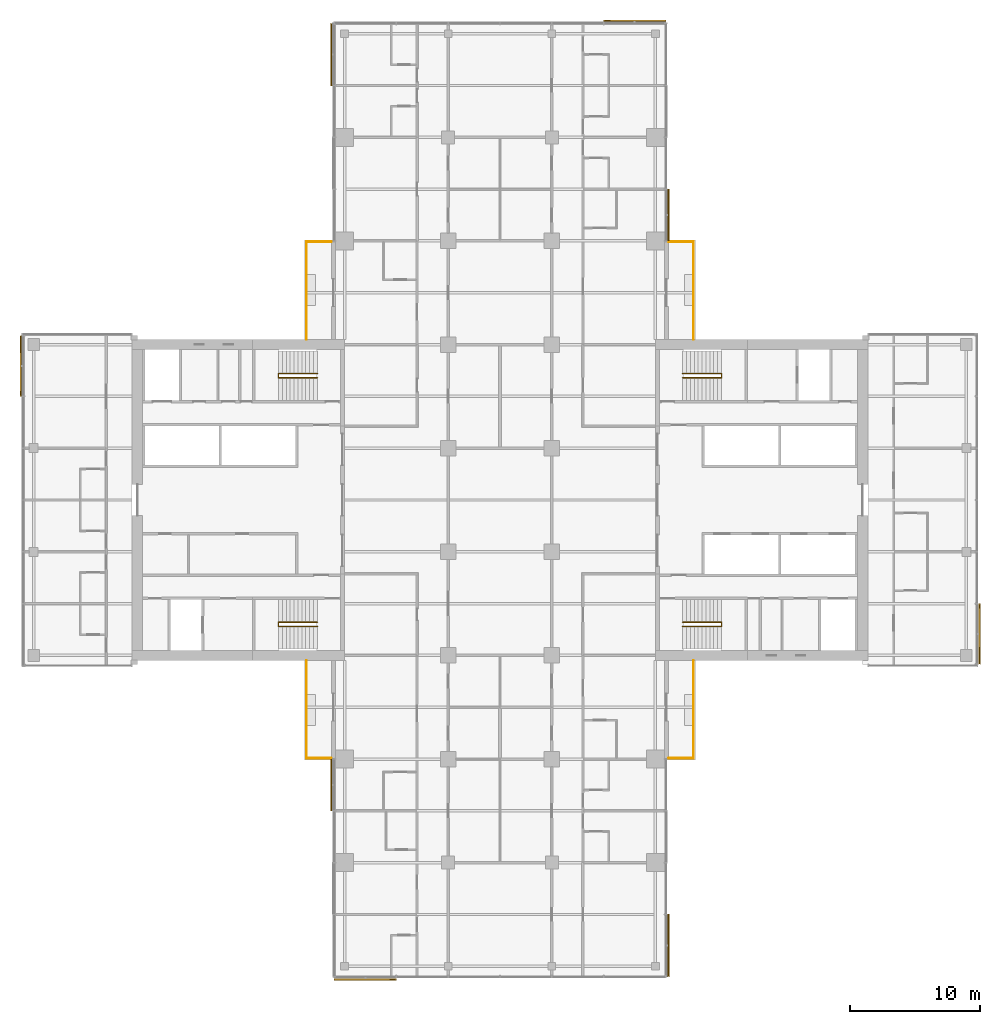
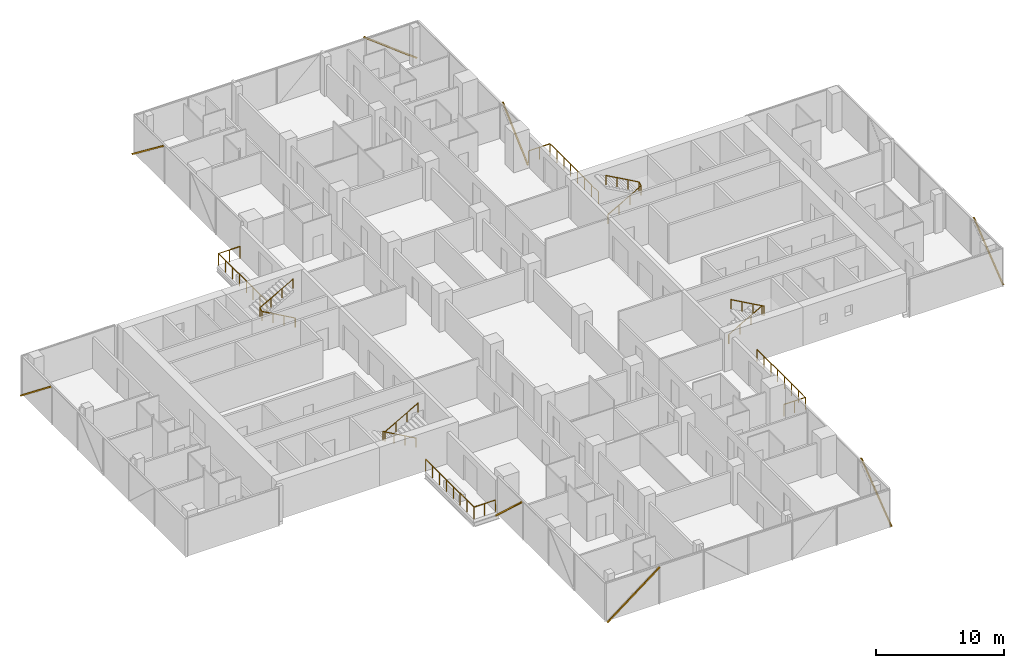
# One storey, part 27 of 27: 8 railings, 8 shading devices, 8 elements without a shape of their own.
"""IFC4 building model written with IfcOpenShell, lengths in metres."""

from ifc_helpers import new_model, si_unit, direction, frame, origin, origin_2d, place, context, subcontext, project, spatial, rectangle, circle, extrude, material, material_profile, profile_set, type_object, element, aggregate, save


model = new_model("IFC4")

# Units and contexts
model_context = context("Model", 3, precision=1e-05, world=origin(), true_north=direction((0.0, 1.0)))
body_context = subcontext(model_context, "Body", "Model", "MODEL_VIEW")
ifc_project = project(units=[si_unit("LENGTHUNIT", "METRE"), si_unit("AREAUNIT", "SQUARE_METRE"), si_unit("VOLUMEUNIT", "CUBIC_METRE"), si_unit("PLANEANGLEUNIT", "RADIAN"), si_unit("MASSUNIT", "GRAM", prefix="KILO")], contexts=[model_context])

# Site, building, storey
site_placement = place(None, origin())
site = spatial("IfcSite", under=ifc_project, at=site_placement, CompositionType="ELEMENT")
building_placement = place(site_placement, origin())
building = spatial("IfcBuilding", under=site, at=building_placement, Name="Crosswind Convention Tower", CompositionType="ELEMENT")
storey_placement = place(building_placement, frame((0.0, 0.0, 75.699951171875)))
storey = spatial("IfcBuildingStorey", under=building, at=storey_placement, Name="L13", CompositionType="ELEMENT", Elevation=75.699951171875)

# Railings
ifc_material_1 = material(Name="Steel and laminated glass balustrade", Category="steel")
railing_type_1 = type_object("IfcRailingType", Name="BALCONY BALUSTRADE 1150", PredefinedType="BALUSTRADE", material=ifc_material_1)
railing_1_placement = place(storey_placement, frame((139.93994140625, 112.39990234375, 0.0)))
element("IfcRailing", 1, at=railing_1_placement, inside=storey, type_object=railing_type_1, Name="R11 balcony balustrade L13 N-E.1-1", PredefinedType="BALUSTRADE", context=body_context, shape_type="SweptSolid", body=[
    extrude(circle(Radius=0.02392578125, at=origin_2d()), frame((0.0, 0.0, 1.1259765625), z_axis=(0.0, 1.0, 0.0), x_axis=(-1.0, 0.0, 0.0)), (0.0, 0.0, 1.0), 7.5400390625),
    extrude(circle(Radius=0.02392578125, at=origin_2d()), frame((0.0, 7.5400390625, 1.1259765625), z_axis=(-1.0, 0.0, 0.0), x_axis=(0.0, -1.0, 0.0)), (0.0, 0.0, 1.0), 1.9189453125),
    extrude(circle(Radius=0.02099609375, at=origin_2d()), origin(), (0.0, 0.0, 1.0), 1.101806640625),
    extrude(circle(Radius=0.02099609375, at=origin_2d()), frame((0.0, 1.0771484375, 0.0)), (0.0, 0.0, 1.0), 1.101806640625),
    extrude(circle(Radius=0.02099609375, at=origin_2d()), frame((0.0, 2.154296875, 0.0)), (0.0, 0.0, 1.0), 1.101806640625),
    extrude(circle(Radius=0.02099609375, at=origin_2d()), frame((0.0, 3.2314453125, 0.0)), (0.0, 0.0, 1.0), 1.101806640625),
    extrude(circle(Radius=0.02099609375, at=origin_2d()), frame((0.0, 4.30859375, 0.0)), (0.0, 0.0, 1.0), 1.101806640625),
    extrude(circle(Radius=0.02099609375, at=origin_2d()), frame((0.0, 5.3857421875, 0.0)), (0.0, 0.0, 1.0), 1.101806640625),
    extrude(circle(Radius=0.02099609375, at=origin_2d()), frame((0.0, 6.462890625, 0.0)), (0.0, 0.0, 1.0), 1.101806640625),
    extrude(circle(Radius=0.02099609375, at=origin_2d()), frame((0.0, 7.5400390625, 0.0)), (0.0, 0.0, 1.0), 1.101806640625),
    extrude(circle(Radius=0.02099609375, at=origin_2d()), frame((-0.95947265625, 7.5400390625, 0.0)), (0.0, 0.0, 1.0), 1.101806640625),
    extrude(circle(Radius=0.02099609375, at=origin_2d()), frame((-1.9189453125, 7.5400390625, 0.0)), (0.0, 0.0, 1.0), 1.101806640625),
])
railing_2_placement = place(storey_placement, frame((110.06005859375, 112.39990234375, 0.0)))
element("IfcRailing", 2, at=railing_2_placement, inside=storey, type_object=railing_type_1, Name="R11 balcony balustrade L13 N-W.1-3", PredefinedType="BALUSTRADE", context=body_context, shape_type="SweptSolid", body=[
    extrude(circle(Radius=0.02392578125, at=origin_2d()), frame((0.0, 0.0, 1.1259765625), z_axis=(0.0, 1.0, 0.0), x_axis=(-1.0, 0.0, 0.0)), (0.0, 0.0, 1.0), 7.5400390625),
    extrude(circle(Radius=0.02392578125, at=origin_2d()), frame((0.0, 7.5400390625, 1.1259765625), z_axis=(1.0, 0.0, 0.0), x_axis=(0.0, 1.0, 0.0)), (0.0, 0.0, 1.0), 1.9189453125),
    extrude(circle(Radius=0.02099609375, at=origin_2d()), origin(), (0.0, 0.0, 1.0), 1.101806640625),
    extrude(circle(Radius=0.02099609375, at=origin_2d()), frame((0.0, 1.0771484375, 0.0)), (0.0, 0.0, 1.0), 1.101806640625),
    extrude(circle(Radius=0.02099609375, at=origin_2d()), frame((0.0, 2.154296875, 0.0)), (0.0, 0.0, 1.0), 1.101806640625),
    extrude(circle(Radius=0.02099609375, at=origin_2d()), frame((0.0, 3.2314453125, 0.0)), (0.0, 0.0, 1.0), 1.101806640625),
    extrude(circle(Radius=0.02099609375, at=origin_2d()), frame((0.0, 4.30859375, 0.0)), (0.0, 0.0, 1.0), 1.101806640625),
    extrude(circle(Radius=0.02099609375, at=origin_2d()), frame((0.0, 5.3857421875, 0.0)), (0.0, 0.0, 1.0), 1.101806640625),
    extrude(circle(Radius=0.02099609375, at=origin_2d()), frame((0.0, 6.462890625, 0.0)), (0.0, 0.0, 1.0), 1.101806640625),
    extrude(circle(Radius=0.02099609375, at=origin_2d()), frame((0.0, 7.5400390625, 0.0)), (0.0, 0.0, 1.0), 1.101806640625),
    extrude(circle(Radius=0.02099609375, at=origin_2d()), frame((0.95947265625, 7.5400390625, 0.0)), (0.0, 0.0, 1.0), 1.101806640625),
    extrude(circle(Radius=0.02099609375, at=origin_2d()), frame((1.9189453125, 7.5400390625, 0.0)), (0.0, 0.0, 1.0), 1.101806640625),
])
railing_3_placement = place(storey_placement, frame((110.06005859375, 87.60009765625, 0.0)))
element("IfcRailing", 3, at=railing_3_placement, inside=storey, type_object=railing_type_1, Name="R11 balcony balustrade L13 S-W.1-1", PredefinedType="BALUSTRADE", context=body_context, shape_type="SweptSolid", body=[
    extrude(circle(Radius=0.02392578125, at=origin_2d()), frame((0.0, 0.0, 1.1259765625), z_axis=(0.0, -1.0, 0.0), x_axis=(1.0, 0.0, 0.0)), (0.0, 0.0, 1.0), 7.5400390625),
    extrude(circle(Radius=0.02392578125, at=origin_2d()), frame((0.0, -7.5400390625, 1.1259765625), z_axis=(1.0, 0.0, 0.0), x_axis=(0.0, 1.0, 0.0)), (0.0, 0.0, 1.0), 1.9189453125),
    extrude(circle(Radius=0.02099609375, at=origin_2d()), origin(), (0.0, 0.0, 1.0), 1.101806640625),
    extrude(circle(Radius=0.02099609375, at=origin_2d()), frame((0.0, -1.0771484375, 0.0)), (0.0, 0.0, 1.0), 1.101806640625),
    extrude(circle(Radius=0.02099609375, at=origin_2d()), frame((0.0, -2.154296875, 0.0)), (0.0, 0.0, 1.0), 1.101806640625),
    extrude(circle(Radius=0.02099609375, at=origin_2d()), frame((0.0, -3.2314453125, 0.0)), (0.0, 0.0, 1.0), 1.101806640625),
    extrude(circle(Radius=0.02099609375, at=origin_2d()), frame((0.0, -4.30859375, 0.0)), (0.0, 0.0, 1.0), 1.101806640625),
    extrude(circle(Radius=0.02099609375, at=origin_2d()), frame((0.0, -5.3857421875, 0.0)), (0.0, 0.0, 1.0), 1.101806640625),
    extrude(circle(Radius=0.02099609375, at=origin_2d()), frame((0.0, -6.462890625, 0.0)), (0.0, 0.0, 1.0), 1.101806640625),
    extrude(circle(Radius=0.02099609375, at=origin_2d()), frame((0.0, -7.5400390625, 0.0)), (0.0, 0.0, 1.0), 1.101806640625),
    extrude(circle(Radius=0.02099609375, at=origin_2d()), frame((0.95947265625, -7.5400390625, 0.0)), (0.0, 0.0, 1.0), 1.101806640625),
    extrude(circle(Radius=0.02099609375, at=origin_2d()), frame((1.9189453125, -7.5400390625, 0.0)), (0.0, 0.0, 1.0), 1.101806640625),
])
railing_4_placement = place(storey_placement, frame((139.93994140625, 87.60009765625, 0.0)))
element("IfcRailing", 4, at=railing_4_placement, inside=storey, type_object=railing_type_1, Name="R11 balcony balustrade L13 S-E.1-3", PredefinedType="BALUSTRADE", context=body_context, shape_type="SweptSolid", body=[
    extrude(circle(Radius=0.02392578125, at=origin_2d()), frame((0.0, 0.0, 1.1259765625), z_axis=(0.0, -1.0, 0.0), x_axis=(1.0, 0.0, 0.0)), (0.0, 0.0, 1.0), 7.5400390625),
    extrude(circle(Radius=0.02392578125, at=origin_2d()), frame((0.0, -7.5400390625, 1.1259765625), z_axis=(-1.0, 0.0, 0.0), x_axis=(0.0, -1.0, 0.0)), (0.0, 0.0, 1.0), 1.9189453125),
    extrude(circle(Radius=0.02099609375, at=origin_2d()), origin(), (0.0, 0.0, 1.0), 1.101806640625),
    extrude(circle(Radius=0.02099609375, at=origin_2d()), frame((0.0, -1.0771484375, 0.0)), (0.0, 0.0, 1.0), 1.101806640625),
    extrude(circle(Radius=0.02099609375, at=origin_2d()), frame((0.0, -2.154296875, 0.0)), (0.0, 0.0, 1.0), 1.101806640625),
    extrude(circle(Radius=0.02099609375, at=origin_2d()), frame((0.0, -3.2314453125, 0.0)), (0.0, 0.0, 1.0), 1.101806640625),
    extrude(circle(Radius=0.02099609375, at=origin_2d()), frame((0.0, -4.30859375, 0.0)), (0.0, 0.0, 1.0), 1.101806640625),
    extrude(circle(Radius=0.02099609375, at=origin_2d()), frame((0.0, -5.3857421875, 0.0)), (0.0, 0.0, 1.0), 1.101806640625),
    extrude(circle(Radius=0.02099609375, at=origin_2d()), frame((0.0, -6.462890625, 0.0)), (0.0, 0.0, 1.0), 1.101806640625),
    extrude(circle(Radius=0.02099609375, at=origin_2d()), frame((0.0, -7.5400390625, 0.0)), (0.0, 0.0, 1.0), 1.101806640625),
    extrude(circle(Radius=0.02099609375, at=origin_2d()), frame((-0.95947265625, -7.5400390625, 0.0)), (0.0, 0.0, 1.0), 1.101806640625),
    extrude(circle(Radius=0.02099609375, at=origin_2d()), frame((-1.9189453125, -7.5400390625, 0.0)), (0.0, 0.0, 1.0), 1.101806640625),
])
ifc_material_2 = material(Name="Stainless steel", Category="steel")
railing_type_2 = type_object("IfcRailingType", Name="Stair handrail 900", PredefinedType="HANDRAIL", material=ifc_material_2)
railing_5_placement = place(storey_placement, frame((139.10009765625, 109.43994140625, 0.168212890625)))
element("IfcRailing", 5, at=railing_5_placement, inside=storey, type_object=railing_type_2, Name="Stair ST1 handrail L13", PredefinedType="HANDRAIL", context=body_context, shape_type="SweptSolid", body=[
    extrude(circle(Radius=0.02392578125, at=origin_2d()), frame((0.0, 0.0, 0.8759765625), z_axis=(0.872272294576, 0.0, 0.489020494575), x_axis=(0.0, 1.0, 0.0)), (0.0, 0.0, 1.0), 3.439208984375),
    extrude(circle(Radius=0.02392578125, at=origin_2d()), frame((3.0, 0.0, 2.5576171875), z_axis=(0.0, 0.885196349292, 0.465217608438), x_axis=(-1.0, 0.0, 0.0)), (0.0, 0.0, 1.0), 0.361572265625),
    extrude(circle(Radius=0.02392578125, at=origin_2d()), frame((3.0, 0.320068359375, 2.72607421875), z_axis=(-0.872302573547, 0.0, 0.488966481656), x_axis=(0.0, -1.0, 0.0)), (0.0, 0.0, 1.0), 3.439208984375),
    extrude(circle(Radius=0.02099609375, at=origin_2d()), origin(), (0.0, 0.0, 1.0), 0.851806640625),
    extrude(circle(Radius=0.02099609375, at=origin_2d()), frame((1.0, 0.0, 0.560546875)), (0.0, 0.0, 1.0), 0.851806640625),
    extrude(circle(Radius=0.02099609375, at=origin_2d()), frame((2.0, 0.0, 1.121337890625)), (0.0, 0.0, 1.0), 0.851806640625),
    extrude(circle(Radius=0.02099609375, at=origin_2d()), frame((3.0, 0.0, 1.681884765625)), (0.0, 0.0, 1.0), 0.851806640625),
    extrude(circle(Radius=0.02099609375, at=origin_2d()), frame((3.0, 0.320068359375, 1.85009765625)), (0.0, 0.0, 1.0), 0.851806640625),
    extrude(circle(Radius=0.02099609375, at=origin_2d()), frame((2.0, 0.320068359375, 2.41064453125)), (0.0, 0.0, 1.0), 0.851806640625),
    extrude(circle(Radius=0.02099609375, at=origin_2d()), frame((1.0, 0.320068359375, 2.97119140625)), (0.0, 0.0, 1.0), 0.851806640625),
    extrude(circle(Radius=0.02099609375, at=origin_2d()), frame((0.0, 0.320068359375, 3.53173828125)), (0.0, 0.0, 1.0), 0.851806640625),
])
railing_6_placement = place(storey_placement, frame((139.10009765625, 90.56005859375, 0.168212890625)))
element("IfcRailing", 6, at=railing_6_placement, inside=storey, type_object=railing_type_2, Name="Stair ST2 handrail L13", PredefinedType="HANDRAIL", context=body_context, shape_type="SweptSolid", body=[
    extrude(circle(Radius=0.02392578125, at=origin_2d()), frame((0.0, 0.0, 0.8759765625), z_axis=(0.872272294576, 0.0, 0.489020494575), x_axis=(0.0, 1.0, 0.0)), (0.0, 0.0, 1.0), 3.439208984375),
    extrude(circle(Radius=0.02392578125, at=origin_2d()), frame((3.0, 0.0, 2.5576171875), z_axis=(0.0, -0.885196349292, 0.465217608438), x_axis=(1.0, 0.0, 0.0)), (0.0, 0.0, 1.0), 0.361572265625),
    extrude(circle(Radius=0.02392578125, at=origin_2d()), frame((3.0, -0.320068359375, 2.72607421875), z_axis=(-0.872302573547, 0.0, 0.488966481656), x_axis=(0.0, -1.0, 0.0)), (0.0, 0.0, 1.0), 3.439208984375),
    extrude(circle(Radius=0.02099609375, at=origin_2d()), origin(), (0.0, 0.0, 1.0), 0.851806640625),
    extrude(circle(Radius=0.02099609375, at=origin_2d()), frame((1.0, 0.0, 0.560546875)), (0.0, 0.0, 1.0), 0.851806640625),
    extrude(circle(Radius=0.02099609375, at=origin_2d()), frame((2.0, 0.0, 1.121337890625)), (0.0, 0.0, 1.0), 0.851806640625),
    extrude(circle(Radius=0.02099609375, at=origin_2d()), frame((3.0, 0.0, 1.681884765625)), (0.0, 0.0, 1.0), 0.851806640625),
    extrude(circle(Radius=0.02099609375, at=origin_2d()), frame((3.0, -0.320068359375, 1.85009765625)), (0.0, 0.0, 1.0), 0.851806640625),
    extrude(circle(Radius=0.02099609375, at=origin_2d()), frame((2.0, -0.320068359375, 2.41064453125)), (0.0, 0.0, 1.0), 0.851806640625),
    extrude(circle(Radius=0.02099609375, at=origin_2d()), frame((1.0, -0.320068359375, 2.97119140625)), (0.0, 0.0, 1.0), 0.851806640625),
    extrude(circle(Radius=0.02099609375, at=origin_2d()), frame((0.0, -0.320068359375, 3.53173828125)), (0.0, 0.0, 1.0), 0.851806640625),
])
railing_7_placement = place(storey_placement, frame((110.89990234375, 90.56005859375, 0.168212890625)))
element("IfcRailing", 7, at=railing_7_placement, inside=storey, type_object=railing_type_2, Name="Stair ST3 handrail L13", PredefinedType="HANDRAIL", context=body_context, shape_type="SweptSolid", body=[
    extrude(circle(Radius=0.02392578125, at=origin_2d()), frame((0.0, 0.0, 0.8759765625), z_axis=(-0.872272294576, 0.0, 0.489020494575), x_axis=(0.0, -1.0, 0.0)), (0.0, 0.0, 1.0), 3.439208984375),
    extrude(circle(Radius=0.02392578125, at=origin_2d()), frame((-3.0, 0.0, 2.5576171875), z_axis=(0.0, -0.885196349292, 0.465217608438), x_axis=(1.0, 0.0, 0.0)), (0.0, 0.0, 1.0), 0.361572265625),
    extrude(circle(Radius=0.02392578125, at=origin_2d()), frame((-3.0, -0.320068359375, 2.72607421875), z_axis=(0.872302573547, 0.0, 0.488966481656), x_axis=(0.0, 1.0, 0.0)), (0.0, 0.0, 1.0), 3.439208984375),
    extrude(circle(Radius=0.02099609375, at=origin_2d()), origin(), (0.0, 0.0, 1.0), 0.851806640625),
    extrude(circle(Radius=0.02099609375, at=origin_2d()), frame((-1.0, 0.0, 0.560546875)), (0.0, 0.0, 1.0), 0.851806640625),
    extrude(circle(Radius=0.02099609375, at=origin_2d()), frame((-2.0, 0.0, 1.121337890625)), (0.0, 0.0, 1.0), 0.851806640625),
    extrude(circle(Radius=0.02099609375, at=origin_2d()), frame((-3.0, 0.0, 1.681884765625)), (0.0, 0.0, 1.0), 0.851806640625),
    extrude(circle(Radius=0.02099609375, at=origin_2d()), frame((-3.0, -0.320068359375, 1.85009765625)), (0.0, 0.0, 1.0), 0.851806640625),
    extrude(circle(Radius=0.02099609375, at=origin_2d()), frame((-2.0, -0.320068359375, 2.41064453125)), (0.0, 0.0, 1.0), 0.851806640625),
    extrude(circle(Radius=0.02099609375, at=origin_2d()), frame((-1.0, -0.320068359375, 2.97119140625)), (0.0, 0.0, 1.0), 0.851806640625),
    extrude(circle(Radius=0.02099609375, at=origin_2d()), frame((0.0, -0.320068359375, 3.53173828125)), (0.0, 0.0, 1.0), 0.851806640625),
])
railing_8_placement = place(storey_placement, frame((110.89990234375, 109.43994140625, 0.168212890625)))
element("IfcRailing", 8, at=railing_8_placement, inside=storey, type_object=railing_type_2, Name="Stair ST4 handrail L13", PredefinedType="HANDRAIL", context=body_context, shape_type="SweptSolid", body=[
    extrude(circle(Radius=0.02392578125, at=origin_2d()), frame((0.0, 0.0, 0.8759765625), z_axis=(-0.872272294576, 0.0, 0.489020494575), x_axis=(0.0, -1.0, 0.0)), (0.0, 0.0, 1.0), 3.439208984375),
    extrude(circle(Radius=0.02392578125, at=origin_2d()), frame((-3.0, 0.0, 2.5576171875), z_axis=(0.0, 0.885196349292, 0.465217608438), x_axis=(-1.0, 0.0, 0.0)), (0.0, 0.0, 1.0), 0.361572265625),
    extrude(circle(Radius=0.02392578125, at=origin_2d()), frame((-3.0, 0.320068359375, 2.72607421875), z_axis=(0.872302573547, 0.0, 0.488966481656), x_axis=(0.0, 1.0, 0.0)), (0.0, 0.0, 1.0), 3.439208984375),
    extrude(circle(Radius=0.02099609375, at=origin_2d()), origin(), (0.0, 0.0, 1.0), 0.851806640625),
    extrude(circle(Radius=0.02099609375, at=origin_2d()), frame((-1.0, 0.0, 0.560546875)), (0.0, 0.0, 1.0), 0.851806640625),
    extrude(circle(Radius=0.02099609375, at=origin_2d()), frame((-2.0, 0.0, 1.121337890625)), (0.0, 0.0, 1.0), 0.851806640625),
    extrude(circle(Radius=0.02099609375, at=origin_2d()), frame((-3.0, 0.0, 1.681884765625)), (0.0, 0.0, 1.0), 0.851806640625),
    extrude(circle(Radius=0.02099609375, at=origin_2d()), frame((-3.0, 0.320068359375, 1.85009765625)), (0.0, 0.0, 1.0), 0.851806640625),
    extrude(circle(Radius=0.02099609375, at=origin_2d()), frame((-2.0, 0.320068359375, 2.41064453125)), (0.0, 0.0, 1.0), 0.851806640625),
    extrude(circle(Radius=0.02099609375, at=origin_2d()), frame((-1.0, 0.320068359375, 2.97119140625)), (0.0, 0.0, 1.0), 0.851806640625),
    extrude(circle(Radius=0.02099609375, at=origin_2d()), frame((0.0, 0.320068359375, 3.53173828125)), (0.0, 0.0, 1.0), 0.851806640625),
])

# Curtain wall, shading device
ifc_material_3 = material(Name="Aluminium unitised curtain wall", Category="aluminium")
curtain_wall_type = type_object("IfcCurtainWallType", Name="HOTEL UNITISED WALL 200", PredefinedType="USERDEFINED", material=ifc_material_3)
curtain_wall_1_placement = place(storey_placement, origin())
curtain_wall_1 = element("IfcCurtainWall", 9, at=curtain_wall_1_placement, inside=storey, type_object=curtain_wall_type, Name="CW2 L13 E-TIP 1", ObjectType="UNITISED", PredefinedType="USERDEFINED")
ifc_material_4 = material(Name="Extruded terracotta", Category="masonry")
ifc_material_profile = material_profile(ifc_material_4, rectangle(XDim=0.10009765625, YDim=0.1201171875, at=origin_2d()), Name="TC 100X120")
ifc_profile_set = profile_set([ifc_material_profile], Name="Extruded terracotta")
shading_device_type = type_object("IfcShadingDeviceType", Name="TERRACOTTA BAGUETTE 120X100", PredefinedType="USERDEFINED", material=ifc_profile_set)
shading_device_1_placement = place(storey_placement, frame((162.008056640625, 87.364990234375, -0.280029296875), z_axis=(0.0, 0.784764474718, 0.619794094212), x_axis=(-1.0, 0.0, 0.0)))
shading_device_1 = element("IfcShadingDevice", 10, at=shading_device_1_placement, type_object=shading_device_type, Name="CW2 terracotta baguette 1", ObjectType="BAGUETTE", PredefinedType="USERDEFINED", context=body_context, shape_type="SweptSolid", body=[
    extrude(rectangle(XDim=0.10009765625, YDim=0.1201171875, at=origin_2d()), origin(), (0.0, 0.0, 1.0), 5.86474609375),
])
aggregate(curtain_wall_1, [shading_device_1])

curtain_wall_2_placement = place(storey_placement, origin())
curtain_wall_2 = element("IfcCurtainWall", 11, at=curtain_wall_2_placement, inside=storey, type_object=curtain_wall_type, Name="CW2 L13 N-E 1", ObjectType="UNITISED", PredefinedType="USERDEFINED")
shading_device_2_placement = place(storey_placement, frame((138.008056640625, 120.032470703125, -0.280029296875), z_axis=(0.0, 0.734557036047, 0.678546948114), x_axis=(-1.0, 0.0, 0.0)))
shading_device_2 = element("IfcShadingDevice", 12, at=shading_device_2_placement, type_object=shading_device_type, Name="CW2 terracotta baguette 1", ObjectType="BAGUETTE", PredefinedType="USERDEFINED", context=body_context, shape_type="SweptSolid", body=[
    extrude(rectangle(XDim=0.10009765625, YDim=0.1201171875, at=origin_2d()), origin(), (0.0, 0.0, 1.0), 5.35693359375),
])
aggregate(curtain_wall_2, [shading_device_2])

curtain_wall_3_placement = place(storey_placement, origin())
curtain_wall_3 = element("IfcCurtainWall", 13, at=curtain_wall_3_placement, inside=storey, type_object=curtain_wall_type, Name="CW2 L13 N-TIP 1", ObjectType="UNITISED", PredefinedType="USERDEFINED")
shading_device_3_placement = place(storey_placement, frame((137.767578125, 137.008056640625, -0.280029296875), z_axis=(-0.793221117913, 0.0, 0.608933705831), x_axis=(0.0, -1.0, 0.0)))
shading_device_3 = element("IfcShadingDevice", 14, at=shading_device_3_placement, type_object=shading_device_type, Name="CW2 terracotta baguette 1", ObjectType="BAGUETTE", PredefinedType="USERDEFINED", context=body_context, shape_type="SweptSolid", body=[
    extrude(rectangle(XDim=0.10009765625, YDim=0.1201171875, at=origin_2d()), origin(), (0.0, 0.0, 1.0), 5.969482421875),
])
aggregate(curtain_wall_3, [shading_device_3])

curtain_wall_4_placement = place(storey_placement, origin())
curtain_wall_4 = element("IfcCurtainWall", 15, at=curtain_wall_4_placement, inside=storey, type_object=curtain_wall_type, Name="CW2 L13 N-W 1", ObjectType="UNITISED", PredefinedType="USERDEFINED")
shading_device_4_placement = place(storey_placement, frame((111.991943359375, 136.767578125, -0.280029296875), z_axis=(0.0, -0.793221117913, 0.608933705831), x_axis=(1.0, 0.0, 0.0)))
shading_device_4 = element("IfcShadingDevice", 16, at=shading_device_4_placement, type_object=shading_device_type, Name="CW2 terracotta baguette 1", ObjectType="BAGUETTE", PredefinedType="USERDEFINED", context=body_context, shape_type="SweptSolid", body=[
    extrude(rectangle(XDim=0.10009765625, YDim=0.1201171875, at=origin_2d()), origin(), (0.0, 0.0, 1.0), 5.969482421875),
])
aggregate(curtain_wall_4, [shading_device_4])

curtain_wall_5_placement = place(storey_placement, origin())
curtain_wall_5 = element("IfcCurtainWall", 17, at=curtain_wall_5_placement, inside=storey, type_object=curtain_wall_type, Name="CW2 L13 W-TIP 1", ObjectType="UNITISED", PredefinedType="USERDEFINED")
shading_device_5_placement = place(storey_placement, frame((87.991943359375, 112.635009765625, -0.280029296875), z_axis=(0.0, -0.784764474718, 0.619794094212), x_axis=(1.0, 0.0, 0.0)))
shading_device_5 = element("IfcShadingDevice", 18, at=shading_device_5_placement, type_object=shading_device_type, Name="CW2 terracotta baguette 1", ObjectType="BAGUETTE", PredefinedType="USERDEFINED", context=body_context, shape_type="SweptSolid", body=[
    extrude(rectangle(XDim=0.10009765625, YDim=0.1201171875, at=origin_2d()), origin(), (0.0, 0.0, 1.0), 5.86474609375),
])
aggregate(curtain_wall_5, [shading_device_5])

curtain_wall_6_placement = place(storey_placement, origin())
curtain_wall_6 = element("IfcCurtainWall", 19, at=curtain_wall_6_placement, inside=storey, type_object=curtain_wall_type, Name="CW2 L13 S-W 1", ObjectType="UNITISED", PredefinedType="USERDEFINED")
shading_device_6_placement = place(storey_placement, frame((111.991943359375, 79.967529296875, -0.280029296875), z_axis=(0.0, -0.734557036047, 0.678546948114), x_axis=(1.0, 0.0, 0.0)))
shading_device_6 = element("IfcShadingDevice", 20, at=shading_device_6_placement, type_object=shading_device_type, Name="CW2 terracotta baguette 1", ObjectType="BAGUETTE", PredefinedType="USERDEFINED", context=body_context, shape_type="SweptSolid", body=[
    extrude(rectangle(XDim=0.10009765625, YDim=0.1201171875, at=origin_2d()), origin(), (0.0, 0.0, 1.0), 5.35693359375),
])
aggregate(curtain_wall_6, [shading_device_6])

curtain_wall_7_placement = place(storey_placement, origin())
curtain_wall_7 = element("IfcCurtainWall", 21, at=curtain_wall_7_placement, inside=storey, type_object=curtain_wall_type, Name="CW2 L13 S-TIP 1", ObjectType="UNITISED", PredefinedType="USERDEFINED")
shading_device_7_placement = place(storey_placement, frame((112.232421875, 62.991943359375, -0.280029296875), z_axis=(0.793221117913, 0.0, 0.608933705831), x_axis=(0.0, 1.0, 0.0)))
shading_device_7 = element("IfcShadingDevice", 22, at=shading_device_7_placement, type_object=shading_device_type, Name="CW2 terracotta baguette 1", ObjectType="BAGUETTE", PredefinedType="USERDEFINED", context=body_context, shape_type="SweptSolid", body=[
    extrude(rectangle(XDim=0.10009765625, YDim=0.1201171875, at=origin_2d()), origin(), (0.0, 0.0, 1.0), 5.969482421875),
])
aggregate(curtain_wall_7, [shading_device_7])

curtain_wall_8_placement = place(storey_placement, origin())
curtain_wall_8 = element("IfcCurtainWall", 23, at=curtain_wall_8_placement, inside=storey, type_object=curtain_wall_type, Name="CW2 L13 S-E 1", ObjectType="UNITISED", PredefinedType="USERDEFINED")
shading_device_8_placement = place(storey_placement, frame((138.008056640625, 63.232421875, -0.280029296875), z_axis=(0.0, 0.793221117913, 0.608933705831), x_axis=(-1.0, 0.0, 0.0)))
shading_device_8 = element("IfcShadingDevice", 24, at=shading_device_8_placement, type_object=shading_device_type, Name="CW2 terracotta baguette 1", ObjectType="BAGUETTE", PredefinedType="USERDEFINED", context=body_context, shape_type="SweptSolid", body=[
    extrude(rectangle(XDim=0.10009765625, YDim=0.1201171875, at=origin_2d()), origin(), (0.0, 0.0, 1.0), 5.969482421875),
])
aggregate(curtain_wall_8, [shading_device_8])

save(model, "model.ifc")
